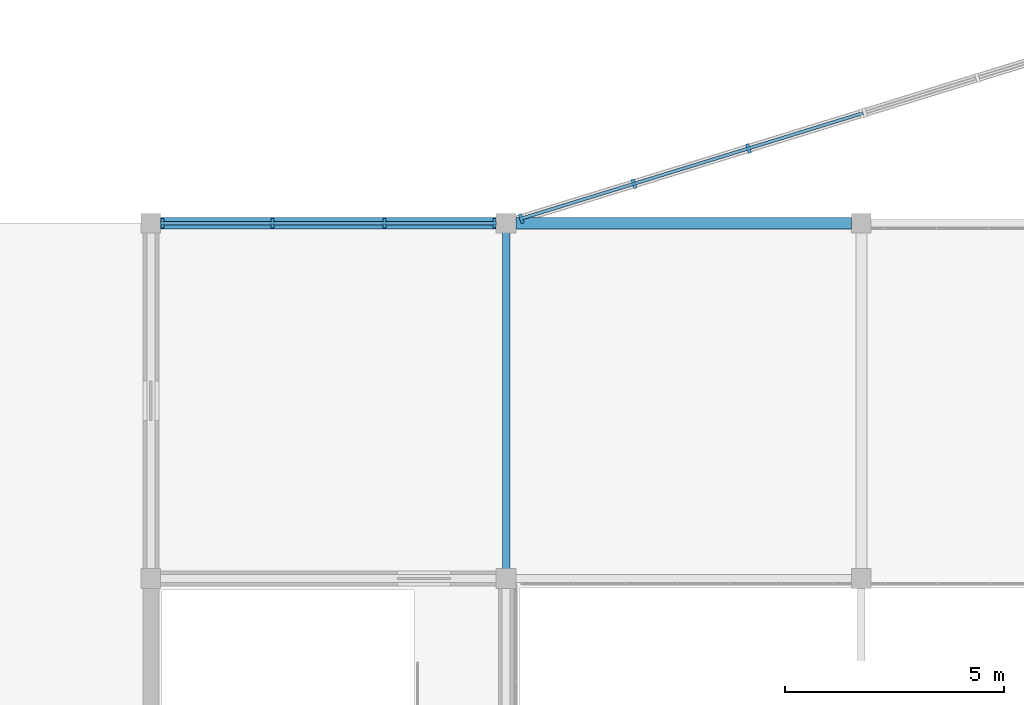
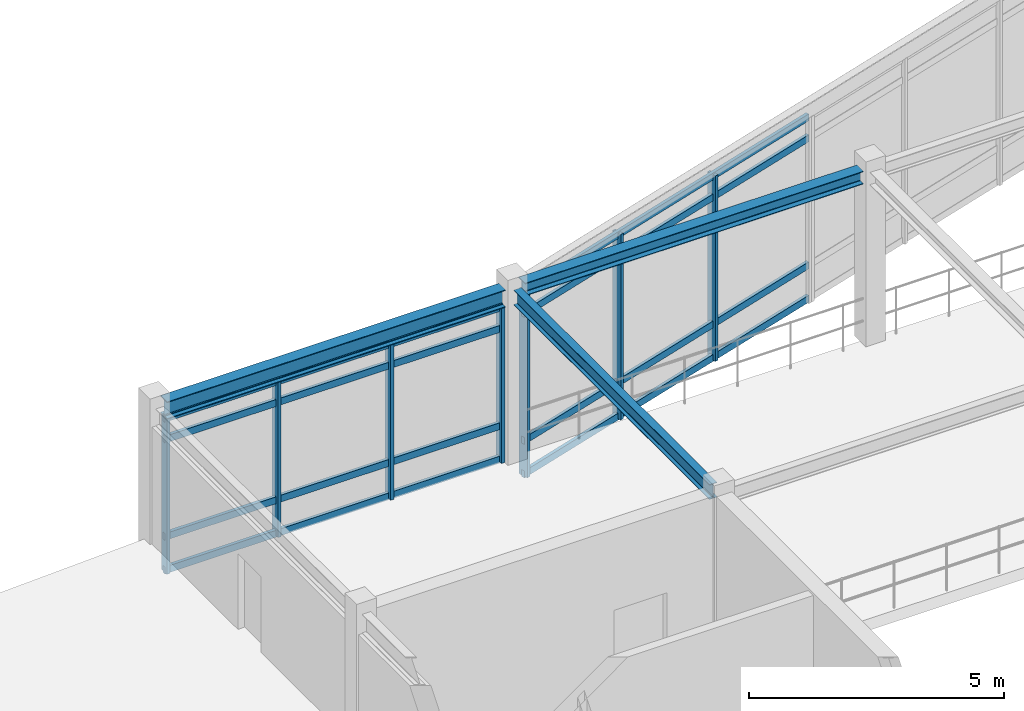
# One storey, part 23 of 89: 15 members, 3 beams, 2 elements without a shape of their own.
"""IFC4 building model written with IfcOpenShell, lengths in metres."""

from ifc_helpers import new_model, si_unit, direction, frame, origin, origin_2d, place, context, subcontext, project, spatial, rectangle, i_section, extrude, material, layer, layer_set, material_profile, profile_set, type_object, element, aggregate, save


model = new_model("IFC4")

# Units and contexts
model_context = context("Model", 3, precision=1e-05, world=origin(), true_north=direction((0.0, 1.0)))
body_context = subcontext(model_context, "Body", "Model", "MODEL_VIEW")
ifc_project = project(units=[si_unit("LENGTHUNIT", "METRE"), si_unit("AREAUNIT", "SQUARE_METRE"), si_unit("VOLUMEUNIT", "CUBIC_METRE"), si_unit("PLANEANGLEUNIT", "RADIAN"), si_unit("MASSUNIT", "GRAM", prefix="KILO")], contexts=[model_context])

# Site, building, storey
site_placement = place(None, origin())
site = spatial("IfcSite", under=ifc_project, at=site_placement, CompositionType="ELEMENT")
building_placement = place(site_placement, origin())
building = spatial("IfcBuilding", under=site, at=building_placement, Name="Vaudrelin Polytechnic", CompositionType="ELEMENT")
storey_placement = place(building_placement, frame((0.0, 0.0, 9.68994140625)))
storey = spatial("IfcBuildingStorey", under=building, at=storey_placement, Name="L02", CompositionType="ELEMENT", Elevation=9.68994140625)

# Beams
ifc_material_1 = material(Name="Steel CSA G40.21 350WT", Category="steel")
ifc_material_profile_1 = material_profile(ifc_material_1, i_section(OverallWidth=0.260009765625, OverallDepth=0.4150390625, WebThickness=0.010009765625, FlangeThickness=0.016845703125, FilletRadius=0.01611328125, at=origin_2d()), Name="W410x100")
ifc_profile_set_1 = profile_set([ifc_material_profile_1], Name="Steel CSA G40.21 350WT")
beam_type_1 = type_object("IfcBeamType", Name="BM-BM-W410H", PredefinedType="SPANDREL", material=ifc_profile_set_1)
beam_1_placement = place(storey_placement, frame((48.821044921875, 48.60009765625, 3.9326171875), z_axis=(1.0, 0.0, 0.0), x_axis=(0.0, 1.0, 0.0)))
element("IfcBeam", 1, at=beam_1_placement, inside=storey, type_object=beam_type_1, Name="L02 X-beam 7-7", PredefinedType="SPANDREL", context=body_context, shape_type="SweptSolid", body=[
    extrude(i_section(OverallWidth=0.260009765625, OverallDepth=0.4150390625, WebThickness=0.010009765625, FlangeThickness=0.016845703125, FilletRadius=0.01611328125, at=origin_2d()), origin(), (0.0, 0.0, 1.0), 7.657958984375),
])
ifc_material_profile_2 = material_profile(ifc_material_1, i_section(OverallWidth=0.25390625, OverallDepth=0.305908203125, WebThickness=0.0087890625, FlangeThickness=0.0146484375, FilletRadius=0.01611328125, at=origin_2d()), Name="W310x79")
ifc_profile_set_2 = profile_set([ifc_material_profile_2], Name="Steel CSA G40.21 350WT")
beam_type_2 = type_object("IfcBeamType", Name="BM-JS-W310H", PredefinedType="SPANDREL", material=ifc_profile_set_2)
beam_2_placement = place(storey_placement, frame((56.9208984375, 48.60009765625, 3.987060546875), z_axis=(1.0, 0.0, 0.0), x_axis=(0.0, 1.0, 0.0)))
element("IfcBeam", 2, at=beam_2_placement, inside=storey, type_object=beam_type_2, Name="L02 X-beam 8-7", PredefinedType="SPANDREL", context=body_context, shape_type="SweptSolid", body=[
    extrude(i_section(OverallWidth=0.25390625, OverallDepth=0.305908203125, WebThickness=0.0087890625, FlangeThickness=0.0146484375, FilletRadius=0.01611328125, at=origin_2d()), origin(), (0.0, 0.0, 1.0), 7.658203125),
])
ifc_material_2 = material(Name="Steel CSA G40.21 350W", Category="steel")
ifc_material_profile_3 = material_profile(ifc_material_2, i_section(OverallWidth=0.172119140625, OverallDepth=0.35791015625, WebThickness=0.0078125, FlangeThickness=0.01318359375, FilletRadius=0.014892578125, at=origin_2d()), Name="W360x57")
ifc_profile_set_3 = profile_set([ifc_material_profile_3], Name="Steel CSA G40.21 350W")
beam_type_3 = type_object("IfcBeamType", Name="BM-JS-W360", PredefinedType="JOIST", material=ifc_profile_set_3)
beam_3_placement = place(storey_placement, frame((56.699951171875, 40.7099609375, 3.9609375), z_axis=(0.0, 1.0, 0.0), x_axis=(-1.0, 0.0, 0.0)))
element("IfcBeam", 3, at=beam_3_placement, inside=storey, type_object=beam_type_3, Name="L02 Y-beam 8-6", PredefinedType="JOIST", context=body_context, shape_type="SweptSolid", body=[
    extrude(i_section(OverallWidth=0.172119140625, OverallDepth=0.35791015625, WebThickness=0.0078125, FlangeThickness=0.01318359375, FilletRadius=0.014892578125, at=origin_2d()), origin(), (0.0, 0.0, 1.0), 7.679931640625),
])

# Curtain wall, members
ifc_material_3 = material(Name="Thermally broken anodised aluminium AA 6063-T6 and low-e triple glazing", Category="aluminium")
ifc_layer = layer(ifc_material_3, 0.199951171875)
ifc_layer_set = layer_set([ifc_layer], Name="Thermally broken anodised aluminium AA 6063-T6 and low-e triple glazing")
curtain_wall_type = type_object("IfcCurtainWallType", Name="CW-CW-WG", PredefinedType="USERDEFINED", material=ifc_layer_set)
curtain_wall_1_placement = place(storey_placement, origin())
curtain_wall_1 = element("IfcCurtainWall", 4, at=curtain_wall_1_placement, inside=storey, type_object=curtain_wall_type, Name="Curtain wall L02 CT_S_00", ObjectType="CURTAIN WALL", PredefinedType="USERDEFINED")
ifc_material_4 = material(Name="Anodised aluminium AA 6063-T6", Category="aluminium")
ifc_material_profile_4 = material_profile(ifc_material_4, rectangle(XDim=0.074951171875, YDim=0.219970703125, at=origin_2d()), Name="CWM-75x220")
ifc_profile_set_4 = profile_set([ifc_material_profile_4], Name="Anodised aluminium AA 6063-T6")
member_type_1 = type_object("IfcMemberType", Name="MEM-CWM-220", PredefinedType="MULLION", material=ifc_profile_set_4)
member_1_placement = place(storey_placement, frame((48.863037109375, 48.60009765625, 0.0), z_axis=(0.0, 0.0, 1.0), x_axis=(1.0, 0.0, 0.0)))
member_1 = element("IfcMember", 5, at=member_1_placement, type_object=member_type_1, Name="CT_S_00 mullion 1", PredefinedType="MULLION", context=body_context, shape_type="SweptSolid", body=[
    extrude(rectangle(XDim=0.074951171875, YDim=0.219970703125, at=origin_2d()), origin(), (0.0, 0.0, 1.0), 3.72705078125),
])
member_2_placement = place(storey_placement, frame((51.374267578125, 48.60009765625, 0.0), z_axis=(0.0, 0.0, 1.0), x_axis=(1.0, 0.0, 0.0)))
member_2 = element("IfcMember", 6, at=member_2_placement, type_object=member_type_1, Name="CT_S_00 mullion 2", PredefinedType="MULLION", context=body_context, shape_type="SweptSolid", body=[
    extrude(rectangle(XDim=0.074951171875, YDim=0.219970703125, at=origin_2d()), origin(), (0.0, 0.0, 1.0), 3.72705078125),
])
member_3_placement = place(storey_placement, frame((53.92578125, 48.60009765625, 0.0), z_axis=(0.0, 0.0, 1.0), x_axis=(1.0, 0.0, 0.0)))
member_3 = element("IfcMember", 7, at=member_3_placement, type_object=member_type_1, Name="CT_S_00 mullion 3", PredefinedType="MULLION", context=body_context, shape_type="SweptSolid", body=[
    extrude(rectangle(XDim=0.074951171875, YDim=0.219970703125, at=origin_2d()), origin(), (0.0, 0.0, 1.0), 3.72705078125),
])
member_4_placement = place(storey_placement, frame((56.43701171875, 48.60009765625, 0.0), z_axis=(0.0, 0.0, 1.0), x_axis=(1.0, 0.0, 0.0)))
member_4 = element("IfcMember", 8, at=member_4_placement, type_object=member_type_1, Name="CT_S_00 mullion 4", PredefinedType="MULLION", context=body_context, shape_type="SweptSolid", body=[
    extrude(rectangle(XDim=0.074951171875, YDim=0.219970703125, at=origin_2d()), origin(), (0.0, 0.0, 1.0), 3.72705078125),
])

curtain_wall_2_placement = place(storey_placement, origin())
curtain_wall_2 = element("IfcCurtainWall", 9, at=curtain_wall_2_placement, inside=storey, type_object=curtain_wall_type, Name="Curtain wall L02 CT_OR1_1_0", ObjectType="CURTAIN WALL", PredefinedType="USERDEFINED")
member_5_placement = place(storey_placement, frame((57.04443359375, 48.706298828125, -0.6298828125), z_axis=(0.0, 0.0, 1.0), x_axis=(0.955523502988, 0.294914962723, 0.0)))
member_5 = element("IfcMember", 10, at=member_5_placement, type_object=member_type_1, Name="CT_OR1_1_0 mullion 1", PredefinedType="MULLION", context=body_context, shape_type="SweptSolid", body=[
    extrude(rectangle(XDim=0.074951171875, YDim=0.219970703125, at=origin_2d()), origin(), (0.0, 0.0, 1.0), 4.43994140625),
])
member_6_placement = place(storey_placement, frame((59.6162109375, 49.5, -0.6298828125), z_axis=(0.0, 0.0, 1.0), x_axis=(0.955523502988, 0.294914962723, 0.0)))
member_6 = element("IfcMember", 11, at=member_6_placement, type_object=member_type_1, Name="CT_OR1_1_0 mullion 2", PredefinedType="MULLION", context=body_context, shape_type="SweptSolid", body=[
    extrude(rectangle(XDim=0.074951171875, YDim=0.219970703125, at=origin_2d()), origin(), (0.0, 0.0, 1.0), 4.43994140625),
])
member_7_placement = place(storey_placement, frame((62.226318359375, 50.3056640625, -0.6298828125), z_axis=(0.0, 0.0, 1.0), x_axis=(0.955523502988, 0.294914962723, 0.0)))
member_7 = element("IfcMember", 12, at=member_7_placement, type_object=member_type_1, Name="CT_OR1_1_0 mullion 3", PredefinedType="MULLION", context=body_context, shape_type="SweptSolid", body=[
    extrude(rectangle(XDim=0.074951171875, YDim=0.219970703125, at=origin_2d()), origin(), (0.0, 0.0, 1.0), 4.43994140625),
])

# Member
ifc_material_profile_5 = material_profile(ifc_material_4, rectangle(XDim=0.074951171875, YDim=0.1650390625, at=origin_2d()), Name="CWT-75x165")
ifc_profile_set_5 = profile_set([ifc_material_profile_5], Name="Anodised aluminium AA 6063-T6")
member_type_2 = type_object("IfcMemberType", Name="MEM-CWT-165", PredefinedType="USERDEFINED", material=ifc_profile_set_5)
member_8_placement = place(storey_placement, frame((48.822998046875, 48.60009765625, 0.050048828125), z_axis=(1.0, 0.0, 0.0), x_axis=(0.0, 1.0, 0.0)))
member_8 = element("IfcMember", 13, at=member_8_placement, type_object=member_type_2, Name="CT_S_00 transom 1", ObjectType="TRANSOM", PredefinedType="USERDEFINED", context=body_context, shape_type="SweptSolid", body=[
    extrude(rectangle(XDim=0.074951171875, YDim=0.1650390625, at=origin_2d()), origin(), (0.0, 0.0, 1.0), 7.654052734375),
])

member_9_placement = place(storey_placement, frame((48.822998046875, 48.60009765625, 0.85009765625), z_axis=(1.0, 0.0, 0.0), x_axis=(0.0, 1.0, 0.0)))
member_9 = element("IfcMember", 14, at=member_9_placement, type_object=member_type_2, Name="CT_S_00 transom 2", ObjectType="TRANSOM", PredefinedType="USERDEFINED", context=body_context, shape_type="SweptSolid", body=[
    extrude(rectangle(XDim=0.074951171875, YDim=0.1650390625, at=origin_2d()), origin(), (0.0, 0.0, 1.0), 7.654052734375),
])

member_10_placement = place(storey_placement, frame((48.822998046875, 48.60009765625, 3.177001953125), z_axis=(1.0, 0.0, 0.0), x_axis=(0.0, 1.0, 0.0)))
member_10 = element("IfcMember", 15, at=member_10_placement, type_object=member_type_2, Name="CT_S_00 transom 3", ObjectType="TRANSOM", PredefinedType="USERDEFINED", context=body_context, shape_type="SweptSolid", body=[
    extrude(rectangle(XDim=0.074951171875, YDim=0.1650390625, at=origin_2d()), origin(), (0.0, 0.0, 1.0), 7.654052734375),
])

member_11_placement = place(storey_placement, frame((48.822998046875, 48.60009765625, 3.677001953125), z_axis=(1.0, 0.0, 0.0), x_axis=(0.0, 1.0, 0.0)))
member_11 = element("IfcMember", 16, at=member_11_placement, type_object=member_type_2, Name="CT_S_00 transom 4", ObjectType="TRANSOM", PredefinedType="USERDEFINED", context=body_context, shape_type="SweptSolid", body=[
    extrude(rectangle(XDim=0.074951171875, YDim=0.1650390625, at=origin_2d()), origin(), (0.0, 0.0, 1.0), 7.654052734375),
])

aggregate(curtain_wall_1, [member_1, member_2, member_3, member_4, member_8, member_9, member_10, member_11])

member_12_placement = place(storey_placement, frame((57.006103515625, 48.694580078125, -0.579833984375), z_axis=(0.955530013995, 0.294893866255, 0.0), x_axis=(-0.294893866255, 0.955530013995, 0.0)))
member_12 = element("IfcMember", 17, at=member_12_placement, type_object=member_type_2, Name="CT_OR1_1_0 transom 1", ObjectType="TRANSOM", PredefinedType="USERDEFINED", context=body_context, shape_type="SweptSolid", body=[
    extrude(rectangle(XDim=0.074951171875, YDim=0.1650390625, at=origin_2d()), origin(), (0.0, 0.0, 1.0), 8.194580078125),
])

member_13_placement = place(storey_placement, frame((57.006103515625, 48.694580078125, 0.219970703125), z_axis=(0.955530013995, 0.294893866255, 0.0), x_axis=(-0.294893866255, 0.955530013995, 0.0)))
member_13 = element("IfcMember", 18, at=member_13_placement, type_object=member_type_2, Name="CT_OR1_1_0 transom 2", ObjectType="TRANSOM", PredefinedType="USERDEFINED", context=body_context, shape_type="SweptSolid", body=[
    extrude(rectangle(XDim=0.074951171875, YDim=0.1650390625, at=origin_2d()), origin(), (0.0, 0.0, 1.0), 8.194580078125),
])

member_14_placement = place(storey_placement, frame((57.006103515625, 48.694580078125, 3.260009765625), z_axis=(0.955530013995, 0.294893866255, 0.0), x_axis=(-0.294893866255, 0.955530013995, 0.0)))
member_14 = element("IfcMember", 19, at=member_14_placement, type_object=member_type_2, Name="CT_OR1_1_0 transom 3", ObjectType="TRANSOM", PredefinedType="USERDEFINED", context=body_context, shape_type="SweptSolid", body=[
    extrude(rectangle(XDim=0.074951171875, YDim=0.1650390625, at=origin_2d()), origin(), (0.0, 0.0, 1.0), 8.194580078125),
])

member_15_placement = place(storey_placement, frame((57.006103515625, 48.694580078125, 3.760009765625), z_axis=(0.955530013995, 0.294893866255, 0.0), x_axis=(-0.294893866255, 0.955530013995, 0.0)))
member_15 = element("IfcMember", 20, at=member_15_placement, type_object=member_type_2, Name="CT_OR1_1_0 transom 4", ObjectType="TRANSOM", PredefinedType="USERDEFINED", context=body_context, shape_type="SweptSolid", body=[
    extrude(rectangle(XDim=0.074951171875, YDim=0.1650390625, at=origin_2d()), origin(), (0.0, 0.0, 1.0), 8.194580078125),
])

aggregate(curtain_wall_2, [member_5, member_6, member_7, member_12, member_13, member_14, member_15])

save(model, "model.ifc")
